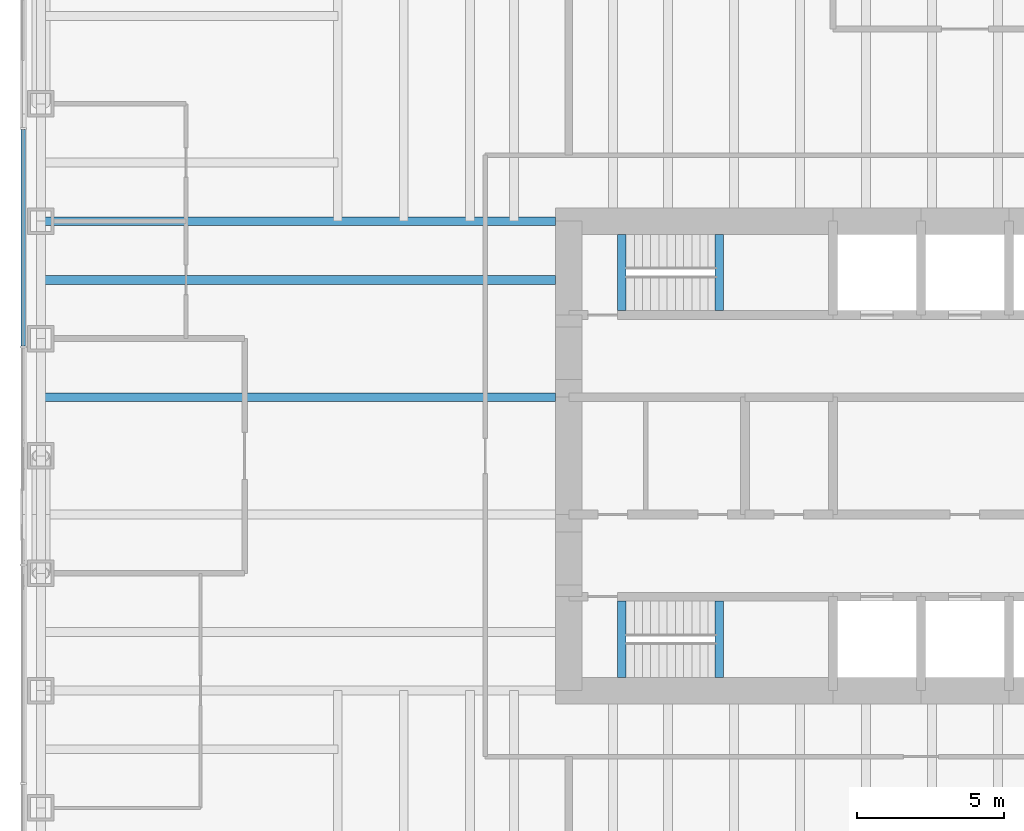
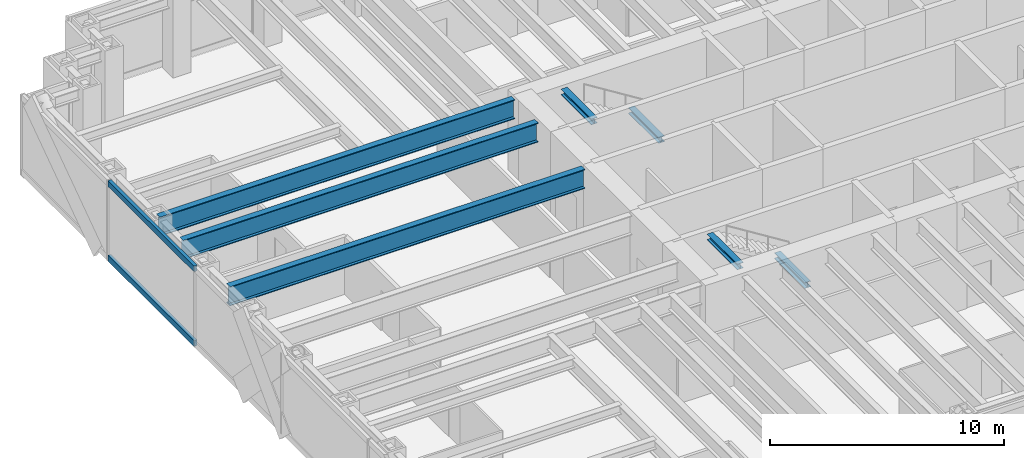
# One storey, part 3 of 17: 7 beams, 2 members, 1 element without a shape of its own.
"""IFC4 building model written with IfcOpenShell, lengths in metres."""

from ifc_helpers import new_model, si_unit, direction, frame, origin, origin_2d, place, context, subcontext, project, spatial, rectangle, i_section, extrude, material, material_profile, profile_set, type_object, element, aggregate, save


model = new_model("IFC4")

# Units and contexts
model_context = context("Model", 3, precision=1e-05, world=origin(), true_north=direction((0.0, 1.0)))
body_context = subcontext(model_context, "Body", "Model", "MODEL_VIEW")
ifc_project = project(units=[si_unit("LENGTHUNIT", "METRE"), si_unit("AREAUNIT", "SQUARE_METRE"), si_unit("VOLUMEUNIT", "CUBIC_METRE"), si_unit("PLANEANGLEUNIT", "RADIAN"), si_unit("MASSUNIT", "GRAM", prefix="KILO")], contexts=[model_context])

# Site, building, storey
site_placement = place(None, origin())
site = spatial("IfcSite", under=ifc_project, at=site_placement, CompositionType="ELEMENT")
building_placement = place(site_placement, origin())
building = spatial("IfcBuilding", under=site, at=building_placement, Name="Rheinbord Bourse Tower", CompositionType="ELEMENT")
storey_placement = place(building_placement, frame((0.0, 0.0, 138.300048828125)))
storey = spatial("IfcBuildingStorey", under=building, at=storey_placement, Name="L30", CompositionType="ELEMENT", Elevation=138.300048828125)

# Curtain wall, members
ifc_material_1 = material(Name="Dark glass and black aluminium", Category="aluminium")
curtain_wall_type = type_object("IfcCurtainWallType", Name="CW2 DARK GLASS CURTAIN WALL", PredefinedType="USERDEFINED", material=ifc_material_1)
curtain_wall_placement = place(storey_placement, origin())
curtain_wall = element("IfcCurtainWall", 1, at=curtain_wall_placement, inside=storey, type_object=curtain_wall_type, Name="Curtain wall CW2 W L30", ObjectType="UNITISED CURTAIN WALL", PredefinedType="USERDEFINED")
ifc_material_2 = material(Name="Black anodised aluminium", Category="aluminium")
ifc_material_profile_1 = material_profile(ifc_material_2, rectangle(XDim=0.159912109375, YDim=0.300048828125, at=origin_2d()), Name="CW2 TRANSOM 300x160")
ifc_profile_set_1 = profile_set([ifc_material_profile_1], Name="Black anodised aluminium")
member_type = type_object("IfcMemberType", Name="CW2 BLACK TRANSOM", PredefinedType="USERDEFINED", material=ifc_profile_set_1)
member_1_placement = place(storey_placement, frame((-0.60009765625, 35.125, 0.14990234375), z_axis=(0.0, -1.0, 0.0), x_axis=(1.0, 0.0, 0.0)))
member_1 = element("IfcMember", 2, at=member_1_placement, type_object=member_type, Name="CW2 transom 2.1", ObjectType="TRANSOM", PredefinedType="USERDEFINED", context=body_context, shape_type="SweptSolid", body=[
    extrude(rectangle(XDim=0.159912109375, YDim=0.300048828125, at=origin_2d()), origin(), (0.0, 0.0, 1.0), 7.3701171875),
])
member_2_placement = place(storey_placement, frame((-0.60009765625, 35.125, 4.050048828125), z_axis=(0.0, -1.0, 0.0), x_axis=(1.0, 0.0, 0.0)))
member_2 = element("IfcMember", 3, at=member_2_placement, type_object=member_type, Name="CW2 transom 2.2", ObjectType="TRANSOM", PredefinedType="USERDEFINED", context=body_context, shape_type="SweptSolid", body=[
    extrude(rectangle(XDim=0.159912109375, YDim=0.300048828125, at=origin_2d()), origin(), (0.0, 0.0, 1.0), 7.3701171875),
])
aggregate(curtain_wall, [member_1, member_2])

# Beams
ifc_material_3 = material(Name="Steel S460", Category="steel")
ifc_material_profile_2 = material_profile(ifc_material_3, i_section(OverallWidth=0.302001953125, OverallDepth=1.008056640625, WebThickness=0.02099609375, FlangeThickness=0.0400390625, at=origin_2d()), Name="HEM 1000")
ifc_profile_set_2 = profile_set([ifc_material_profile_2], Name="Steel S460")
beam_type_1 = type_object("IfcBeamType", Name="END BEAM HEM 1000", PredefinedType="BEAM", material=ifc_profile_set_2)
for number, where, z_axis, x_axis, name in (
    (4, (0.0, 26.0, 3.535888671875), (1.0, 0.0, 0.0), (0.0, 1.0, 0.0), "End beam west 26 L31"),
    (5, (0.0, 30.0, 3.535888671875), (1.0, 0.0, 0.0), (0.0, 1.0, 0.0), "End beam west 30 L31"),
):
    element("IfcBeam", number, at=place(storey_placement, frame(where, z_axis=z_axis, x_axis=x_axis)), inside=storey, type_object=beam_type_1, Name=name, PredefinedType="BEAM", context=body_context, shape_type="SweptSolid", body=[
        extrude(i_section(OverallWidth=0.302001953125, OverallDepth=1.008056640625, WebThickness=0.02099609375, FlangeThickness=0.0400390625, at=origin_2d()), origin(), (0.0, 0.0, 1.0), 17.550048828125),
    ])
ifc_material_4 = material(Name="Steel S460", Category="steel")
ifc_material_profile_3 = material_profile(ifc_material_4, i_section(OverallWidth=0.302001953125, OverallDepth=1.008056640625, WebThickness=0.02099609375, FlangeThickness=0.0400390625, at=origin_2d()), Name="HEM 1000")
ifc_profile_set_3 = profile_set([ifc_material_profile_3], Name="Steel S460")
beam_type_2 = type_object("IfcBeamType", Name="GIRDER HEM 1000", PredefinedType="BEAM", material=ifc_profile_set_3)
beam_placement = place(storey_placement, frame((0.0, 32.0, 3.535888671875), z_axis=(1.0, 0.0, 0.0), x_axis=(0.0, 1.0, 0.0)))
element("IfcBeam", 6, at=beam_placement, inside=storey, type_object=beam_type_2, Name="Girder west 32 L31", PredefinedType="BEAM", context=body_context, shape_type="SweptSolid", body=[
    extrude(i_section(OverallWidth=0.302001953125, OverallDepth=1.008056640625, WebThickness=0.02099609375, FlangeThickness=0.0400390625, at=origin_2d()), origin(), (0.0, 0.0, 1.0), 17.550048828125),
])
ifc_material_5 = material(Name="Steel S460", Category="steel")
ifc_material_profile_4 = material_profile(ifc_material_5, i_section(OverallWidth=0.300048828125, OverallDepth=0.300048828125, WebThickness=0.010986328125, FlangeThickness=0.01904296875, at=origin_2d()), Name="HEB 300")
ifc_profile_set_4 = profile_set([ifc_material_profile_4], Name="Steel S460")
beam_type_3 = type_object("IfcBeamType", Name="LANDING TRIMMER HEB 300", PredefinedType="BEAM", material=ifc_profile_set_4)
for number, where, z_axis, x_axis, name in (
    (7, (23.1298828125, 16.449951171875, 1.75), (0.0, 1.0, 0.0), (-1.0, 0.0, 0.0), "Landing trimmer ST1 L30"),
    (8, (19.800048828125, 16.449951171875, 3.889892578125), (0.0, 1.0, 0.0), (-1.0, 0.0, 0.0), "Well trimmer ST1 under L31"),
    (9, (23.1298828125, 28.949951171875, 1.75), (0.0, 1.0, 0.0), (-1.0, 0.0, 0.0), "Landing trimmer ST2 L30"),
    (10, (19.800048828125, 28.949951171875, 3.889892578125), (0.0, 1.0, 0.0), (-1.0, 0.0, 0.0), "Well trimmer ST2 under L31"),
):
    element("IfcBeam", number, at=place(storey_placement, frame(where, z_axis=z_axis, x_axis=x_axis)), inside=storey, type_object=beam_type_3, Name=name, PredefinedType="BEAM", context=body_context, shape_type="SweptSolid", body=[
        extrude(i_section(OverallWidth=0.300048828125, OverallDepth=0.300048828125, WebThickness=0.010986328125, FlangeThickness=0.01904296875, at=origin_2d()), origin(), (0.0, 0.0, 1.0), 2.60009765625),
    ])

save(model, "model.ifc")
